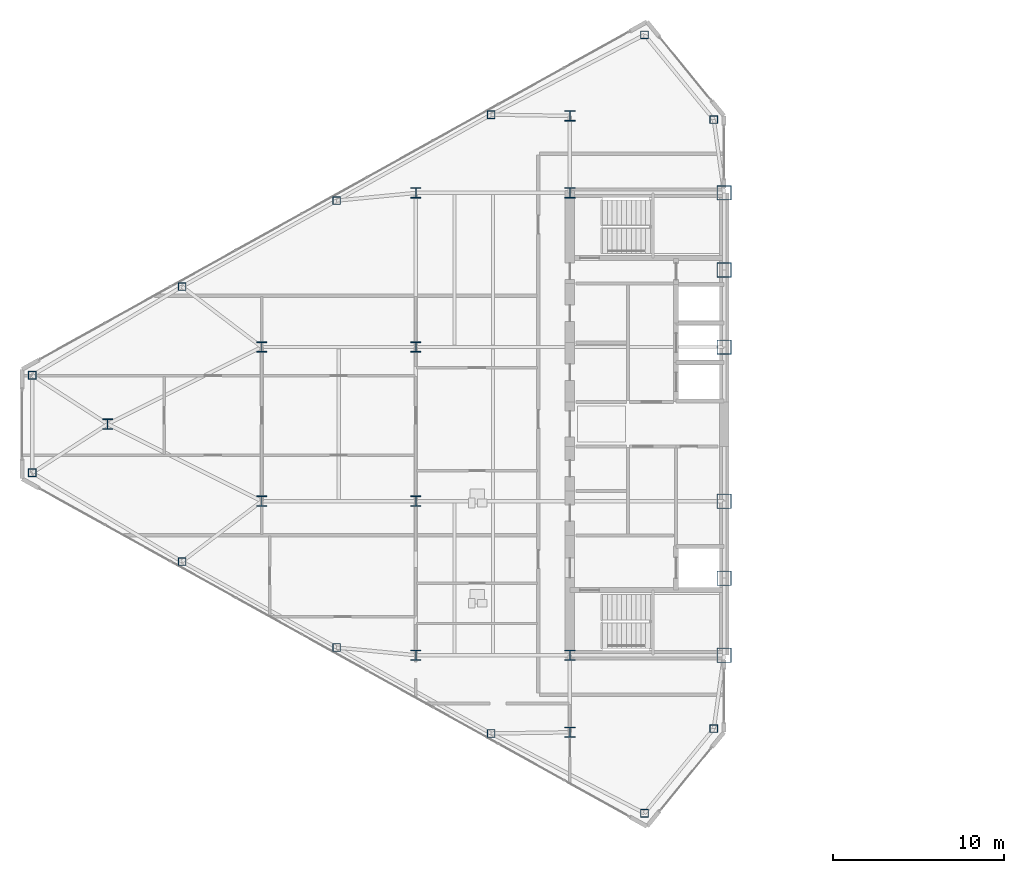
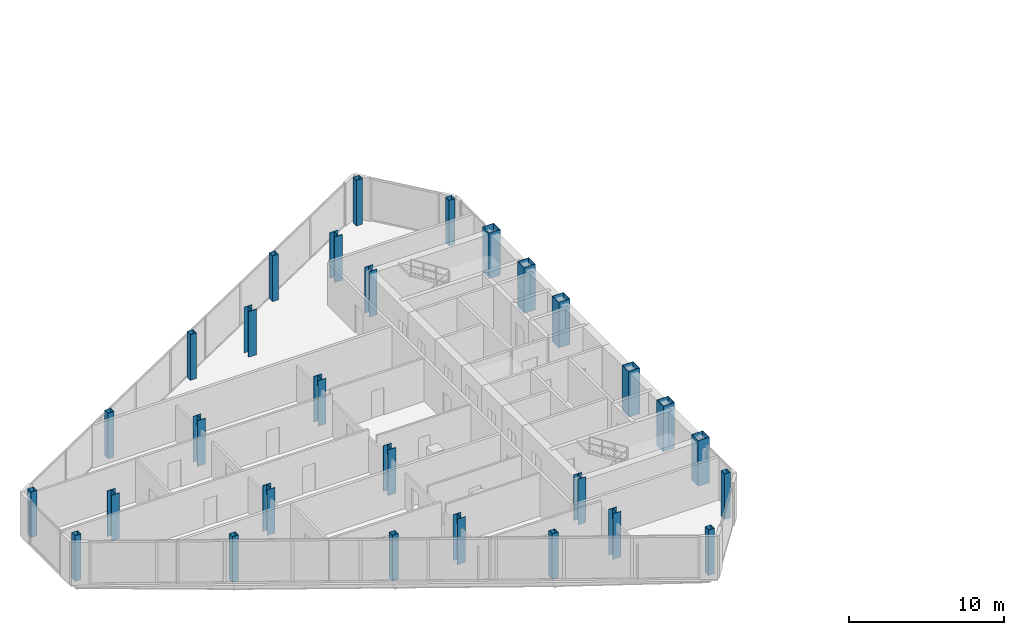
# One storey, part 1 of 26: 29 columns.
"""IFC4 building model written with IfcOpenShell, lengths in metres."""

import ifcopenshell
import ifcopenshell.guid

model = None  # the IFC model being written
_history = None  # IfcOwnerHistory: only IFC2X3 demands one
_inside = {}  # id of a spatial element -> (the spatial element, [elements in it])
_under = {}  # id of a project, library or spatial element -> (it, [spatial elements below it])
_declared = {}  # id of a project -> (the project, [libraries it declares])
_typed = {}  # id of a type object -> (the type object, [elements of that type])
_made_of = {}  # id of a material, layer set ... -> (it, [elements and type objects made of it])


def new_model(schema):
    """Start an empty IFC model of exactly this schema.

    Asked for "IFC4X3", IfcOpenShell would pick the latest addendum, in which some entities
    have other attributes; the version numbers below select the first issue.
    IFC2X3 requires an IfcOwnerHistory on every rooted entity: one is made here for all.
    """
    global model, _history
    if schema == "IFC4X3":
        model = ifcopenshell.file(schema_version=(4, 3, 0, 0))
    else:
        model = ifcopenshell.file(schema=schema)
    _inside.clear()
    _under.clear()
    _declared.clear()
    _typed.clear()
    _made_of.clear()
    _history = None
    if model.schema == "IFC2X3":
        org = make("IfcOrganization", Name="unknown")
        user = make(
            "IfcPersonAndOrganization",
            ThePerson=make("IfcPerson", FamilyName="unknown"),
            TheOrganization=org,
        )
        app = make(
            "IfcApplication",
            ApplicationDeveloper=org,
            Version="unknown",
            ApplicationFullName="unknown",
            ApplicationIdentifier="unknown",
        )
        _history = make(
            "IfcOwnerHistory",
            OwningUser=user,
            OwningApplication=app,
            ChangeAction="ADDED",
            CreationDate=0,
        )
    return model


def make(cls, **values):
    """One entity of the class cls with the attributes given. An attribute that is None is left unset."""
    return model.create_entity(
        cls, **{name: value for name, value in values.items() if value is not None}
    )


def rooted(cls, **values):
    """An entity with a GlobalId (a new one), such as an element, a storey or a relation."""
    return make(cls, GlobalId=ifcopenshell.guid.new(), OwnerHistory=_history, **values)


def si_unit(unit_type, name, prefix=None):
    """IfcSIUnit, for example si_unit("LENGTHUNIT", "METRE", prefix="MILLI")."""
    return make("IfcSIUnit", UnitType=unit_type, Prefix=prefix, Name=name)


def assignment(units):
    """IfcUnitAssignment: the units of a project."""
    return None if units is None else make("IfcUnitAssignment", Units=units)


def point(xyz):
    """IfcCartesianPoint."""
    return None if xyz is None else make("IfcCartesianPoint", Coordinates=xyz)


def direction(xyz):
    """IfcDirection."""
    return None if xyz is None else make("IfcDirection", DirectionRatios=xyz)


def frame(location, z_axis=None, x_axis=None):
    """IfcAxis2Placement3D, a coordinate frame: its origin and axes. An axis left out is left unset."""
    return make(
        "IfcAxis2Placement3D",
        Location=point(location),
        Axis=direction(z_axis),
        RefDirection=direction(x_axis),
    )


def frame_2d(location, x_axis=None):
    """IfcAxis2Placement2D, a coordinate frame in the plane: its origin and x axis."""
    return make(
        "IfcAxis2Placement2D", Location=point(location), RefDirection=direction(x_axis)
    )


def origin():
    """The frame at (0, 0, 0) with its axes left unset."""
    return frame((0.0, 0.0, 0.0))


def origin_2d():
    """The frame at (0, 0) in the plane with its x axis left unset."""
    return frame_2d((0.0, 0.0))


def place(relative_to, where):
    """IfcLocalPlacement: puts the frame where relative to a parent placement (None: the world)."""
    return make(
        "IfcLocalPlacement", PlacementRelTo=relative_to, RelativePlacement=where
    )


def context(
    kind, dimensions, precision=None, world=None, true_north=None, identifier=None
):
    """IfcGeometricRepresentationContext, for example the 3D "Model" context."""
    return make(
        "IfcGeometricRepresentationContext",
        ContextIdentifier=identifier,
        ContextType=kind,
        CoordinateSpaceDimension=dimensions,
        Precision=precision,
        WorldCoordinateSystem=world,
        TrueNorth=true_north,
    )


def subcontext(parent, identifier, kind, view, scale=None):
    """IfcGeometricRepresentationSubContext, for example "Body" below "Model"."""
    return make(
        "IfcGeometricRepresentationSubContext",
        ContextIdentifier=identifier,
        ContextType=kind,
        ParentContext=parent,
        TargetScale=scale,
        TargetView=view,
    )


def project(units=None, contexts=None):
    """IfcProject with its units and contexts."""
    return rooted(
        "IfcProject",
        Name="project",
        RepresentationContexts=contexts,
        UnitsInContext=assignment(units),
    )


def spatial(cls, under=None, at=None, **own):
    """A site, building, storey or space (cls), placed at a placement, below another one or the project."""
    s = rooted(cls, ObjectPlacement=at, **own)
    if under is not None:
        _under.setdefault(under.id(), (under, []))[1].append(s)
    return s


def profile(cls, at=None, kind="AREA", **sizes):
    """A parametric profile (cls). Its sizes go by their IFC names, for example OverallWidth=200.0."""
    return make(cls, ProfileType=kind, Position=at, **sizes)


def hollow_rectangle(**sizes):
    """IfcRectangleHollowProfileDef."""
    return profile("IfcRectangleHollowProfileDef", **sizes)


def i_section(**sizes):
    """IfcIShapeProfileDef."""
    return profile("IfcIShapeProfileDef", **sizes)


def extrude(swept, where, along, depth):
    """IfcExtrudedAreaSolid: the profile swept, set in the frame where, extruded along a direction by depth."""
    return make(
        "IfcExtrudedAreaSolid",
        SweptArea=swept,
        Position=where,
        ExtrudedDirection=direction(along),
        Depth=depth,
    )


def shape(context_of_items, identifier, shape_type, items):
    """IfcShapeRepresentation: the items that make up one representation, for example the "Body"."""
    return make(
        "IfcShapeRepresentation",
        ContextOfItems=context_of_items,
        RepresentationIdentifier=identifier,
        RepresentationType=shape_type,
        Items=items,
    )


def source(mapping_origin, context_of_items, identifier, shape_type, items):
    """IfcRepresentationMap: a shape defined once, which mapped items show again and again."""
    return make(
        "IfcRepresentationMap",
        MappingOrigin=mapping_origin,
        MappedRepresentation=shape(context_of_items, identifier, shape_type, items),
    )


def transform(
    local_origin,
    x_axis=None,
    y_axis=None,
    z_axis=None,
    scale=None,
    scale2=None,
    scale3=None,
    uniform=True,
):
    """IfcCartesianTransformationOperator3D, or its non-uniform kind. x_axis, y_axis, z_axis: its Axis1, 2, 3."""
    if uniform:
        return make(
            "IfcCartesianTransformationOperator3D",
            Axis1=direction(x_axis),
            Axis2=direction(y_axis),
            LocalOrigin=point(local_origin),
            Scale=scale,
            Axis3=direction(z_axis),
        )
    return make(
        "IfcCartesianTransformationOperator3DnonUniform",
        Axis1=direction(x_axis),
        Axis2=direction(y_axis),
        LocalOrigin=point(local_origin),
        Scale=scale,
        Axis3=direction(z_axis),
        Scale2=scale2,
        Scale3=scale3,
    )


def mapped(mapping_source, mapping_target):
    """IfcMappedItem: shows the shape of a source again, moved by a transform."""
    return make(
        "IfcMappedItem", MappingSource=mapping_source, MappingTarget=mapping_target
    )


def material(Name=None, Category=None):
    """IfcMaterial."""
    return make("IfcMaterial", Name=Name, Category=Category)


def material_profile(
    of_material, cross_section, Name=None, Category=None, Priority=None
):
    """IfcMaterialProfile: a cross section and its material."""
    return make(
        "IfcMaterialProfile",
        Name=Name,
        Material=of_material,
        Profile=cross_section,
        Priority=Priority,
        Category=Category,
    )


def profile_set(profiles, Name=None, composite=None):
    """IfcMaterialProfileSet."""
    return make(
        "IfcMaterialProfileSet",
        Name=Name,
        MaterialProfiles=profiles,
        CompositeProfile=composite,
    )


def made_of(thing, what):
    """Note that an element or type object is made of a material, layer set ...; save() writes the relation."""
    if what is not None:
        _made_of.setdefault(what.id(), (what, []))[1].append(thing)
    return thing


def type_object(cls, material=None, **own):
    """A type object (cls), such as IfcWallType, which elements share."""
    return made_of(rooted(cls, **own), material)


def type_shapes(of_type, sources):
    """Give a type object the sources (RepresentationMaps) that its elements show as mapped items."""
    of_type.RepresentationMaps = sources


def element(
    cls,
    number,
    at=None,
    inside=None,
    cuts=None,
    type_object=None,
    material=None,
    context=None,
    identifier="Body",
    shape_type=None,
    held_by="IfcProductDefinitionShape",
    body=None,
    shapes=None,
    **own,
):
    """One element of the class cls, such as IfcWall. Its Tag is "e" and its number.

    at: its placement. inside: the storey or other place that contains it. cuts: it is an
    opening in that element (IfcRelVoidsElement). A single representation is given by context,
    identifier, shape_type and body (its items); several are given by shapes. held_by: the class
    of the entity that holds the representations. save() writes the other relations.
    """
    e = rooted(cls, Tag="e%d" % number, ObjectPlacement=at, **own)
    if body is not None:
        shapes = [shape(context, identifier, shape_type, body)]
    if shapes is not None:
        e.Representation = make(held_by, Representations=shapes)
    if inside is not None:
        _inside.setdefault(inside.id(), (inside, []))[1].append(e)
    if cuts is not None:
        rooted(
            "IfcRelVoidsElement", RelatingBuildingElement=cuts, RelatedOpeningElement=e
        )
    if type_object is not None:
        _typed.setdefault(type_object.id(), (type_object, []))[1].append(e)
    return made_of(e, material)


def aggregate(whole, parts):
    """IfcRelAggregates: a whole, such as a stair, and the parts it consists of."""
    return rooted("IfcRelAggregates", RelatingObject=whole, RelatedObjects=parts)


def save(model, path):
    """Write the relations noted so far, then the file.

    IfcRelAggregates (storeys below a building ...), IfcRelContainedInSpatialStructure (elements
    in a storey), IfcRelDefinesByType, IfcRelAssociatesMaterial and IfcRelDeclares: one each for
    every whole, place, type object, material and project.
    """
    for whole, parts in _under.values():
        aggregate(whole, parts)
    for where, things in _inside.values():
        rooted(
            "IfcRelContainedInSpatialStructure",
            RelatedElements=things,
            RelatingStructure=where,
        )
    for kind, things in _typed.values():
        rooted("IfcRelDefinesByType", RelatedObjects=things, RelatingType=kind)
    for what, things in _made_of.values():
        rooted("IfcRelAssociatesMaterial", RelatedObjects=things, RelatingMaterial=what)
    for by, libraries in _declared.values():
        rooted("IfcRelDeclares", RelatingContext=by, RelatedDefinitions=libraries)
    model.write(path)


model = new_model("IFC4")

# Units and contexts
model_context = context("Model", 3, precision=1e-05, world=origin(), true_north=direction((0.0, 1.0)))
body_context = subcontext(model_context, "Body", "Model", "MODEL_VIEW")
ifc_project = project(units=[si_unit("LENGTHUNIT", "METRE"), si_unit("AREAUNIT", "SQUARE_METRE"), si_unit("VOLUMEUNIT", "CUBIC_METRE"), si_unit("PLANEANGLEUNIT", "RADIAN"), si_unit("MASSUNIT", "GRAM", prefix="KILO")], contexts=[model_context])

# Site, building, storey
site_placement = place(None, origin())
site = spatial("IfcSite", under=ifc_project, at=site_placement, CompositionType="ELEMENT")
building_placement = place(site_placement, origin())
building = spatial("IfcBuilding", under=site, at=building_placement, Name="Seokmaru Belvedere", CompositionType="ELEMENT")
storey_placement = place(building_placement, frame((0.0, 0.0, 181.5)))
storey = spatial("IfcBuildingStorey", under=building, at=storey_placement, Name="L48", CompositionType="ELEMENT", Elevation=181.5)

# Columns
ifc_material_1 = material(Name="Steel SM355 (355 MPa)", Category="steel")
ifc_material_profile_1 = material_profile(ifc_material_1, hollow_rectangle(XDim=0.449951171875, YDim=0.449951171875, WallThickness=0.01806640625, at=origin_2d()), Name="HSS-450x450x18")
ifc_profile_set_1 = profile_set([ifc_material_profile_1], Name="Steel SM355 (355 MPa)")
column_type_1 = type_object("IfcColumnType", Name="Perimeter Facet Column HSS-450", PredefinedType="COLUMN", material=ifc_profile_set_1)
shared_shape_1 = source(origin(), body_context, "Body", "SweptSolid", [
    extrude(hollow_rectangle(XDim=0.449951171875, YDim=0.449951171875, WallThickness=0.01806640625, at=origin_2d()), origin(), (0.0, 0.0, 1.0), 3.60009765625),
])
type_shapes(column_type_1, [shared_shape_1])
for number, where, z_axis, x_axis, name in (
    (1, (-28.10009765625, -17.785888671875, 0.0), (0.0, 0.0, 1.0), (1.0, 0.0, 0.0), "L48 Column WF1"),
    (2, (-28.10009765625, 17.785888671875, 0.0), (0.0, 0.0, 1.0), (1.0, 0.0, 0.0), "L48 Column WF2"),
    (3, (-32.146728515625, 22.731689453125, 0.0), (0.0, 0.0, 1.0), (1.0, 0.0, 0.0), "L48 Column WF3"),
    (4, (-67.89990234375, 2.84716796875, 0.0), (0.0, 0.0, 1.0), (1.0, 0.0, 0.0), "L48 Column WF4"),
    (5, (-67.89990234375, -2.84716796875, 0.0), (0.0, 0.0, 1.0), (1.0, 0.0, 0.0), "L48 Column WF5"),
    (6, (-32.146728515625, -22.731689453125, 0.0), (0.0, 0.0, 1.0), (1.0, 0.0, 0.0), "L48 Column WF6"),
    (7, (-41.103759765625, -18.07080078125, 0.0), (0.0, 0.0, 1.0), (1.0, 0.0, 0.0), "L48 Column WFLK_S1"),
    (8, (-50.129150390625, -13.051025390625, 0.0), (0.0, 0.0, 1.0), (1.0, 0.0, 0.0), "L48 Column WFLK_S2"),
    (9, (-59.154541015625, -8.031494140625, 0.0), (0.0, 0.0, 1.0), (1.0, 0.0, 0.0), "L48 Column WFLK_S3"),
    (10, (-41.103759765625, 18.07080078125, 0.0), (0.0, 0.0, 1.0), (1.0, 0.0, 0.0), "L48 Column WFLK_N1"),
    (11, (-50.129150390625, 13.051025390625, 0.0), (0.0, 0.0, 1.0), (1.0, 0.0, 0.0), "L48 Column WFLK_N2"),
    (12, (-59.154541015625, 8.031494140625, 0.0), (0.0, 0.0, 1.0), (1.0, 0.0, 0.0), "L48 Column WFLK_N3"),
):
    element("IfcColumn", number, at=place(storey_placement, frame(where, z_axis=z_axis, x_axis=x_axis)), inside=storey, type_object=column_type_1, Name=name, PredefinedType="COLUMN", context=body_context, shape_type="MappedRepresentation", body=[
        mapped(shared_shape_1, transform((0.0, 0.0, 0.0), scale=1.0)),
    ])
ifc_material_2 = material(Name="Steel HSA650 (650 MPa)", Category="steel")
ifc_material_profile_2 = material_profile(ifc_material_2, hollow_rectangle(XDim=0.85009765625, YDim=0.85009765625, WallThickness=0.035888671875, at=origin_2d()), Name="BOX-850x850x36")
ifc_profile_set_2 = profile_set([ifc_material_profile_2], Name="Steel HSA650 (650 MPa)")
column_type_2 = type_object("IfcColumnType", Name="Portal Spine Column BOX-850", PredefinedType="COLUMN", material=ifc_profile_set_2)
shared_shape_2 = source(origin(), body_context, "Body", "SweptSolid", [
    extrude(hollow_rectangle(XDim=0.85009765625, YDim=0.85009765625, WallThickness=0.035888671875, at=origin_2d()), origin(), (0.0, 0.0, 1.0), 3.60009765625),
])
type_shapes(column_type_2, [shared_shape_2])
for number, where, z_axis, x_axis, name in (
    (13, (-27.5, -13.5, 0.0), (0.0, 0.0, 1.0), (1.0, 0.0, 0.0), "L48 Column WS1"),
    (14, (-27.5, -9.0, 0.0), (0.0, 0.0, 1.0), (1.0, 0.0, 0.0), "L48 Column WS2"),
    (15, (-27.5, -4.5, 0.0), (0.0, 0.0, 1.0), (1.0, 0.0, 0.0), "L48 Column WS3"),
    (16, (-27.5, 4.5, 0.0), (0.0, 0.0, 1.0), (1.0, 0.0, 0.0), "L48 Column WS4"),
    (17, (-27.5, 9.0, 0.0), (0.0, 0.0, 1.0), (1.0, 0.0, 0.0), "L48 Column WS5"),
    (18, (-27.5, 13.5, 0.0), (0.0, 0.0, 1.0), (1.0, 0.0, 0.0), "L48 Column WS6"),
):
    element("IfcColumn", number, at=place(storey_placement, frame(where, z_axis=z_axis, x_axis=x_axis)), inside=storey, type_object=column_type_2, Name=name, PredefinedType="COLUMN", context=body_context, shape_type="MappedRepresentation", body=[
        mapped(shared_shape_2, transform((0.0, 0.0, 0.0), scale=1.0)),
    ])
ifc_material_profile_3 = material_profile(ifc_material_1, i_section(OverallWidth=0.60009765625, OverallDepth=0.60009765625, WebThickness=0.02490234375, FlangeThickness=0.0400390625, at=origin_2d()), Name="H-600x600x25x40")
ifc_profile_set_3 = profile_set([ifc_material_profile_3], Name="Steel SM355 (355 MPa)")
column_type_3 = type_object("IfcColumnType", Name="Upper-Mid Interior Column H-600", PredefinedType="COLUMN", material=ifc_profile_set_3)
shared_shape_3 = source(origin(), body_context, "Body", "SweptSolid", [
    extrude(i_section(OverallWidth=0.60009765625, OverallDepth=0.60009765625, WebThickness=0.02490234375, FlangeThickness=0.0400390625, at=origin_2d()), origin(), (0.0, 0.0, 1.0), 3.60009765625),
])
type_shapes(column_type_3, [shared_shape_3])
for number, where, z_axis, x_axis, name in (
    (19, (-36.5, -18.0, 0.0), (0.0, 0.0, 1.0), (1.0, 0.0, 0.0), "L48 Column WC1"),
    (20, (-36.5, -13.5, 0.0), (0.0, 0.0, 1.0), (1.0, 0.0, 0.0), "L48 Column WC2"),
    (21, (-36.5, 13.5, 0.0), (0.0, 0.0, 1.0), (1.0, 0.0, 0.0), "L48 Column WC3"),
    (22, (-36.5, 18.0, 0.0), (0.0, 0.0, 1.0), (1.0, 0.0, 0.0), "L48 Column WC4"),
    (23, (-45.5, -13.5, 0.0), (0.0, 0.0, 1.0), (1.0, 0.0, 0.0), "L48 Column WG5_1"),
    (24, (-45.5, -4.5, 0.0), (0.0, 0.0, 1.0), (1.0, 0.0, 0.0), "L48 Column WG5_2"),
    (25, (-45.5, 4.5, 0.0), (0.0, 0.0, 1.0), (1.0, 0.0, 0.0), "L48 Column WG5_3"),
    (26, (-45.5, 13.5, 0.0), (0.0, 0.0, 1.0), (1.0, 0.0, 0.0), "L48 Column WG5_4"),
    (27, (-54.5, -4.5, 0.0), (0.0, 0.0, 1.0), (1.0, 0.0, 0.0), "L48 Column WG4P_1"),
    (28, (-54.5, 4.5, 0.0), (0.0, 0.0, 1.0), (1.0, 0.0, 0.0), "L48 Column WG4P_2"),
    (29, (-63.5, 0.0, 0.0), (0.0, 0.0, 1.0), (1.0, 0.0, 0.0), "L48 Column WG3P_1"),
):
    element("IfcColumn", number, at=place(storey_placement, frame(where, z_axis=z_axis, x_axis=x_axis)), inside=storey, type_object=column_type_3, Name=name, PredefinedType="COLUMN", context=body_context, shape_type="MappedRepresentation", body=[
        mapped(shared_shape_3, transform((0.0, 0.0, 0.0), scale=1.0)),
    ])

save(model, "model.ifc")
